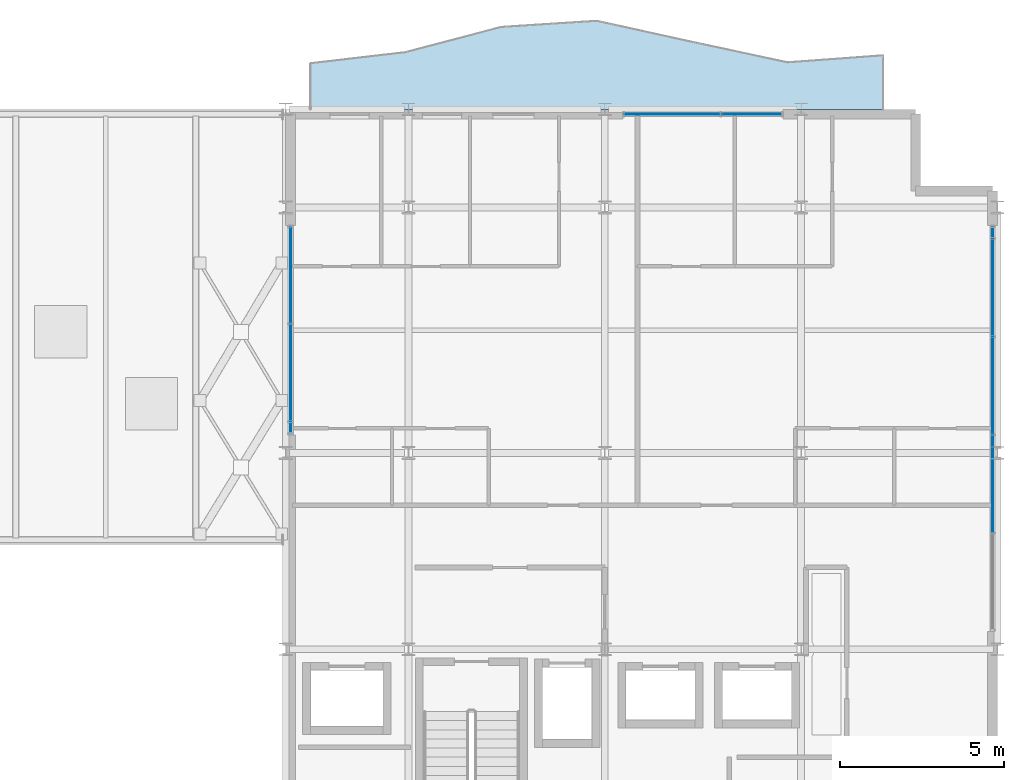
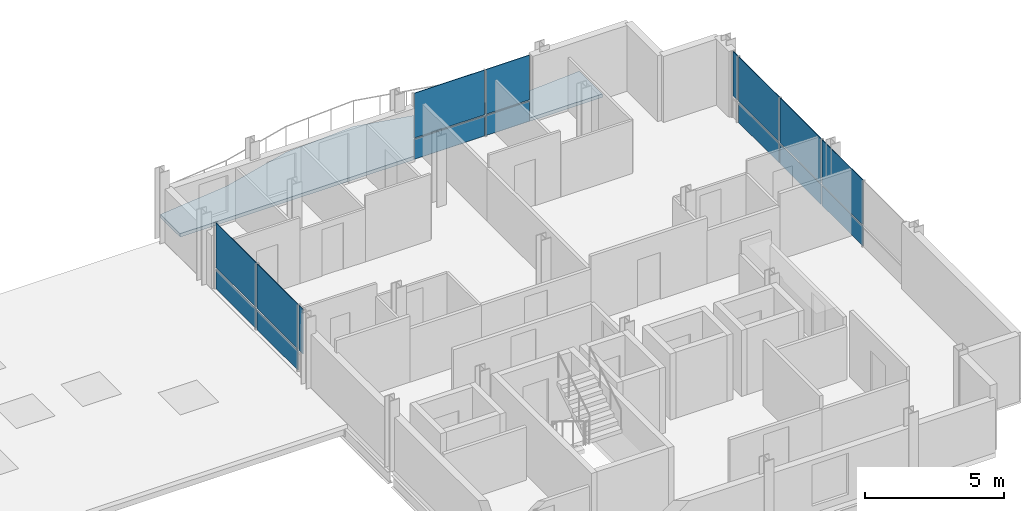
# One storey, part 24 of 33: 16 plates, 1 slab, 3 elements without a shape of their own.
"""IFC4 building model written with IfcOpenShell, lengths in metres."""

from ifc_helpers import new_model, si_unit, direction, frame, origin, origin_2d, place, context, subcontext, project, spatial, polyline, rectangle, outline, extrude, material, layer, layer_set, type_object, element, aggregate, save


model = new_model("IFC4")

# Units and contexts
model_context = context("Model", 3, precision=1e-05, world=origin(), true_north=direction((0.0, 1.0)))
body_context = subcontext(model_context, "Body", "Model", "MODEL_VIEW")
ifc_project = project(units=[si_unit("LENGTHUNIT", "METRE"), si_unit("AREAUNIT", "SQUARE_METRE"), si_unit("VOLUMEUNIT", "CUBIC_METRE"), si_unit("PLANEANGLEUNIT", "RADIAN"), si_unit("MASSUNIT", "GRAM", prefix="KILO")], contexts=[model_context])

# Site, building, storey
site_placement = place(None, origin())
site = spatial("IfcSite", under=ifc_project, at=site_placement, CompositionType="ELEMENT")
building_placement = place(site_placement, origin())
building = spatial("IfcBuilding", under=site, at=building_placement, Name="Brevholm Reach", CompositionType="ELEMENT")
storey_placement = place(building_placement, frame((0.0, 0.0, 189.39990234375)))
storey = spatial("IfcBuildingStorey", under=building, at=storey_placement, Name="L57", CompositionType="ELEMENT", Elevation=189.39990234375)

# Curtain wall, plates
ifc_material_1 = material(Name="Dark Anodised Aluminium 6063-T6 and Solar-Control Glass", Category="aluminium")
ifc_layer_1 = layer(ifc_material_1, 0.1650390625)
ifc_layer_set_1 = layer_set([ifc_layer_1], Name="Dark Anodised Aluminium 6063-T6 and Solar-Control Glass")
curtain_wall_type_1 = type_object("IfcCurtainWallType", Name="CW-04", PredefinedType="NOTDEFINED", material=ifc_layer_set_1)
curtain_wall_1_placement = place(storey_placement, origin())
curtain_wall_1 = element("IfcCurtainWall", 1, at=curtain_wall_1_placement, inside=storey, type_object=curtain_wall_type_1, Name="L57 Curtain Wall CW-04", PredefinedType="NOTDEFINED")
ifc_material_2 = material(Name="Dark Solar-Control Double-Glazed IGU Glass", Category="glass")
ifc_layer_2 = layer(ifc_material_2, 0.028076171875)
ifc_layer_set_2 = layer_set([ifc_layer_2], Name="Dark Solar-Control Double-Glazed IGU Glass")
plate_type = type_object("IfcPlateType", Name="CWP-GLZ-28", PredefinedType="CURTAIN_PANEL", material=ifc_layer_set_2)
plate_1_placement = place(storey_placement, frame((38.39990234375, 21.4326171875, 0.0), z_axis=(0.0, 0.0, 1.0), x_axis=(0.0, -1.0, 0.0)))
plate_1 = element("IfcPlate", 2, at=plate_1_placement, type_object=plate_type, Name="CP-01 Glazing Panel 1.1", PredefinedType="CURTAIN_PANEL", context=body_context, shape_type="SweptSolid", body=[
    extrude(rectangle(XDim=2.89501953125, YDim=0.028076171875, at=origin_2d()), origin(), (0.0, 0.0, 1.0), 0.864990234375),
])
plate_2_placement = place(storey_placement, frame((38.39990234375, 21.4326171875, 0.93505859375), z_axis=(0.0, 0.0, 1.0), x_axis=(0.0, -1.0, 0.0)))
plate_2 = element("IfcPlate", 3, at=plate_2_placement, type_object=plate_type, Name="CP-01 Glazing Panel 1.2", PredefinedType="CURTAIN_PANEL", context=body_context, shape_type="SweptSolid", body=[
    extrude(rectangle(XDim=2.89501953125, YDim=0.028076171875, at=origin_2d()), origin(), (0.0, 0.0, 1.0), 1.955078125),
])
plate_3_placement = place(storey_placement, frame((38.39990234375, 18.449951171875, 0.0), z_axis=(0.0, 0.0, 1.0), x_axis=(0.0, -1.0, 0.0)))
plate_3 = element("IfcPlate", 4, at=plate_3_placement, type_object=plate_type, Name="CP-01 Glazing Panel 2.1", PredefinedType="CURTAIN_PANEL", context=body_context, shape_type="SweptSolid", body=[
    extrude(rectangle(XDim=2.929931640625, YDim=0.028076171875, at=origin_2d()), origin(), (0.0, 0.0, 1.0), 0.864990234375),
])
plate_4_placement = place(storey_placement, frame((38.39990234375, 18.449951171875, 0.93505859375), z_axis=(0.0, 0.0, 1.0), x_axis=(0.0, -1.0, 0.0)))
plate_4 = element("IfcPlate", 5, at=plate_4_placement, type_object=plate_type, Name="CP-01 Glazing Panel 2.2", PredefinedType="CURTAIN_PANEL", context=body_context, shape_type="SweptSolid", body=[
    extrude(rectangle(XDim=2.929931640625, YDim=0.028076171875, at=origin_2d()), origin(), (0.0, 0.0, 1.0), 1.955078125),
])
plate_5_placement = place(storey_placement, frame((38.39990234375, 16.767578125, 0.93505859375), z_axis=(0.0, 0.0, 1.0), x_axis=(0.0, -1.0, 0.0)))
plate_5 = element("IfcPlate", 6, at=plate_5_placement, type_object=plate_type, Name="CP-01 Glazing Panel 3.2", PredefinedType="CURTAIN_PANEL", context=body_context, shape_type="SweptSolid", body=[
    extrude(rectangle(XDim=0.294921875, YDim=0.028076171875, at=origin_2d()), origin(), (0.0, 0.0, 1.0), 1.955078125),
])
aggregate(curtain_wall_1, [plate_1, plate_2, plate_3, plate_4, plate_5])

ifc_material_3 = material(Name="Dark Anodised Aluminium 6063-T6 and Solar-Control Glass", Category="aluminium")
ifc_layer_3 = layer(ifc_material_3, 0.14990234375)
ifc_layer_set_3 = layer_set([ifc_layer_3], Name="Dark Anodised Aluminium 6063-T6 and Solar-Control Glass")
curtain_wall_type_2 = type_object("IfcCurtainWallType", Name="CW-01", PredefinedType="NOTDEFINED", material=ifc_layer_set_3)
curtain_wall_2_placement = place(storey_placement, origin())
curtain_wall_2 = element("IfcCurtainWall", 7, at=curtain_wall_2_placement, inside=storey, type_object=curtain_wall_type_2, Name="L57 Curtain Wall CW-01", PredefinedType="NOTDEFINED")
plate_6_placement = place(storey_placement, frame((59.85009765625, 15.050048828125, 0.0), z_axis=(0.0, 0.0, 1.0), x_axis=(0.0, 1.0, 0.0)))
plate_6 = element("IfcPlate", 8, at=plate_6_placement, type_object=plate_type, Name="CP-01 Glazing Panel 2.1", PredefinedType="CURTAIN_PANEL", context=body_context, shape_type="SweptSolid", body=[
    extrude(rectangle(XDim=2.93505859375, YDim=0.028076171875, at=origin_2d()), origin(), (0.0, 0.0, 1.0), 0.867431640625),
])
plate_7_placement = place(storey_placement, frame((59.85009765625, 15.050048828125, 0.9326171875), z_axis=(0.0, 0.0, 1.0), x_axis=(0.0, 1.0, 0.0)))
plate_7 = element("IfcPlate", 9, at=plate_7_placement, type_object=plate_type, Name="CP-01 Glazing Panel 2.2", PredefinedType="CURTAIN_PANEL", context=body_context, shape_type="SweptSolid", body=[
    extrude(rectangle(XDim=2.93505859375, YDim=0.028076171875, at=origin_2d()), origin(), (0.0, 0.0, 1.0), 1.95751953125),
])
plate_8_placement = place(storey_placement, frame((59.85009765625, 18.050048828125, 0.0), z_axis=(0.0, 0.0, 1.0), x_axis=(0.0, 1.0, 0.0)))
plate_8 = element("IfcPlate", 10, at=plate_8_placement, type_object=plate_type, Name="CP-01 Glazing Panel 3.1", PredefinedType="CURTAIN_PANEL", context=body_context, shape_type="SweptSolid", body=[
    extrude(rectangle(XDim=2.93505859375, YDim=0.028076171875, at=origin_2d()), origin(), (0.0, 0.0, 1.0), 0.867431640625),
])
plate_9_placement = place(storey_placement, frame((59.85009765625, 18.050048828125, 0.9326171875), z_axis=(0.0, 0.0, 1.0), x_axis=(0.0, 1.0, 0.0)))
plate_9 = element("IfcPlate", 11, at=plate_9_placement, type_object=plate_type, Name="CP-01 Glazing Panel 3.2", PredefinedType="CURTAIN_PANEL", context=body_context, shape_type="SweptSolid", body=[
    extrude(rectangle(XDim=2.93505859375, YDim=0.028076171875, at=origin_2d()), origin(), (0.0, 0.0, 1.0), 1.95751953125),
])
plate_10_placement = place(storey_placement, frame((59.85009765625, 21.050048828125, 0.0), z_axis=(0.0, 0.0, 1.0), x_axis=(0.0, 1.0, 0.0)))
plate_10 = element("IfcPlate", 12, at=plate_10_placement, type_object=plate_type, Name="CP-01 Glazing Panel 4.1", PredefinedType="CURTAIN_PANEL", context=body_context, shape_type="SweptSolid", body=[
    extrude(rectangle(XDim=2.93505859375, YDim=0.028076171875, at=origin_2d()), origin(), (0.0, 0.0, 1.0), 0.867431640625),
])
plate_11_placement = place(storey_placement, frame((59.85009765625, 21.050048828125, 0.9326171875), z_axis=(0.0, 0.0, 1.0), x_axis=(0.0, 1.0, 0.0)))
plate_11 = element("IfcPlate", 13, at=plate_11_placement, type_object=plate_type, Name="CP-01 Glazing Panel 4.2", PredefinedType="CURTAIN_PANEL", context=body_context, shape_type="SweptSolid", body=[
    extrude(rectangle(XDim=2.93505859375, YDim=0.028076171875, at=origin_2d()), origin(), (0.0, 0.0, 1.0), 1.95751953125),
])
plate_12_placement = place(storey_placement, frame((59.85009765625, 22.733642578125, 0.9326171875), z_axis=(0.0, 0.0, 1.0), x_axis=(0.0, 1.0, 0.0)))
plate_12 = element("IfcPlate", 14, at=plate_12_placement, type_object=plate_type, Name="CP-01 Glazing Panel 5.2", PredefinedType="CURTAIN_PANEL", context=body_context, shape_type="SweptSolid", body=[
    extrude(rectangle(XDim=0.302490234375, YDim=0.028076171875, at=origin_2d()), origin(), (0.0, 0.0, 1.0), 1.95751953125),
])
aggregate(curtain_wall_2, [plate_6, plate_7, plate_8, plate_9, plate_10, plate_11, plate_12])

curtain_wall_3_placement = place(storey_placement, origin())
curtain_wall_3 = element("IfcCurtainWall", 15, at=curtain_wall_3_placement, inside=storey, type_object=curtain_wall_type_2, Name="L57 Curtain Wall CW-01", PredefinedType="NOTDEFINED")
plate_13_placement = place(storey_placement, frame((50.066162109375, 26.35009765625, 0.0), z_axis=(0.0, 0.0, 1.0), x_axis=(1.0, 0.0, 0.0)))
plate_13 = element("IfcPlate", 16, at=plate_13_placement, type_object=plate_type, Name="CP-01 Glazing Panel 1.1", PredefinedType="CURTAIN_PANEL", context=body_context, shape_type="SweptSolid", body=[
    extrude(rectangle(XDim=2.902587890625, YDim=0.028076171875, at=origin_2d()), origin(), (0.0, 0.0, 1.0), 0.867431640625),
])
plate_14_placement = place(storey_placement, frame((50.066162109375, 26.35009765625, 0.9326171875), z_axis=(0.0, 0.0, 1.0), x_axis=(1.0, 0.0, 0.0)))
plate_14 = element("IfcPlate", 17, at=plate_14_placement, type_object=plate_type, Name="CP-01 Glazing Panel 1.2", PredefinedType="CURTAIN_PANEL", context=body_context, shape_type="SweptSolid", body=[
    extrude(rectangle(XDim=2.902587890625, YDim=0.028076171875, at=origin_2d()), origin(), (0.0, 0.0, 1.0), 1.95751953125),
])
plate_15_placement = place(storey_placement, frame((52.483642578125, 26.35009765625, 0.0), z_axis=(0.0, 0.0, 1.0), x_axis=(1.0, 0.0, 0.0)))
plate_15 = element("IfcPlate", 18, at=plate_15_placement, type_object=plate_type, Name="CP-01 Glazing Panel 2.1", PredefinedType="CURTAIN_PANEL", context=body_context, shape_type="SweptSolid", body=[
    extrude(rectangle(XDim=1.802490234375, YDim=0.028076171875, at=origin_2d()), origin(), (0.0, 0.0, 1.0), 0.867431640625),
])
plate_16_placement = place(storey_placement, frame((52.483642578125, 26.35009765625, 0.9326171875), z_axis=(0.0, 0.0, 1.0), x_axis=(1.0, 0.0, 0.0)))
plate_16 = element("IfcPlate", 19, at=plate_16_placement, type_object=plate_type, Name="CP-01 Glazing Panel 2.2", PredefinedType="CURTAIN_PANEL", context=body_context, shape_type="SweptSolid", body=[
    extrude(rectangle(XDim=1.802490234375, YDim=0.028076171875, at=origin_2d()), origin(), (0.0, 0.0, 1.0), 1.95751953125),
])
aggregate(curtain_wall_3, [plate_13, plate_14, plate_15, plate_16])

# Slab
ifc_material_4 = material(Name="Precast Concrete C45/55", Category="concrete")
ifc_layer_4 = layer(ifc_material_4, 0.14990234375)
ifc_layer_set_4 = layer_set([ifc_layer_4], Name="Precast Concrete C45/55")
slab_type = type_object("IfcSlabType", Name="SLB-BAL-150", PredefinedType="FLOOR", material=ifc_layer_set_4)
slab_placement = place(storey_placement, frame((0.0, 0.0, -0.14990234375)))
element("IfcSlab", 20, at=slab_placement, inside=storey, type_object=slab_type, Name="L57 Rippling External Balcony NE", PredefinedType="FLOOR", context=body_context, shape_type="SweptSolid", body=[
    extrude(outline(polyline([(39.0, 26.5), (56.5, 26.5), (56.5, 28.150146484375), (53.583251953125, 27.936767578125), (50.666748046875, 28.563232421875), (47.75, 29.205078125), (44.833251953125, 29.017822265625), (41.916748046875, 28.247802734375), (39.0, 27.908203125), (39.0, 26.5)])), origin(), (0.0, 0.0, 1.0), 0.14990234375),
])

save(model, "model.ifc")
